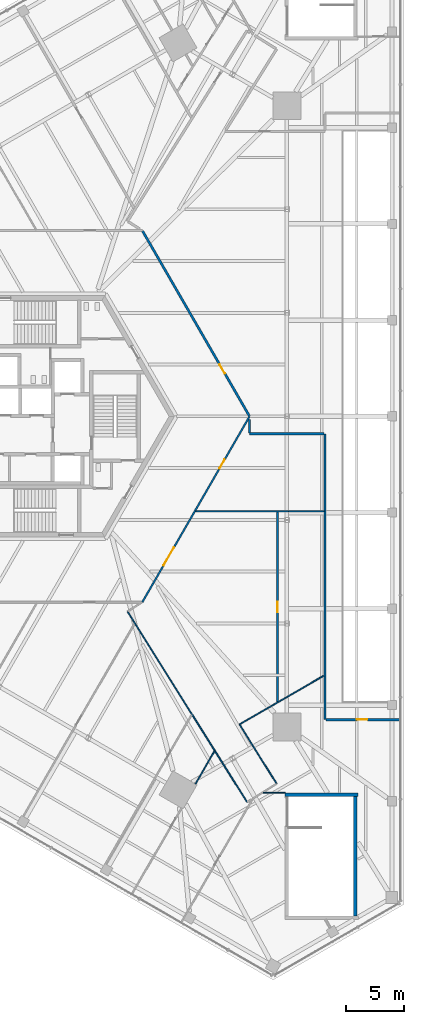
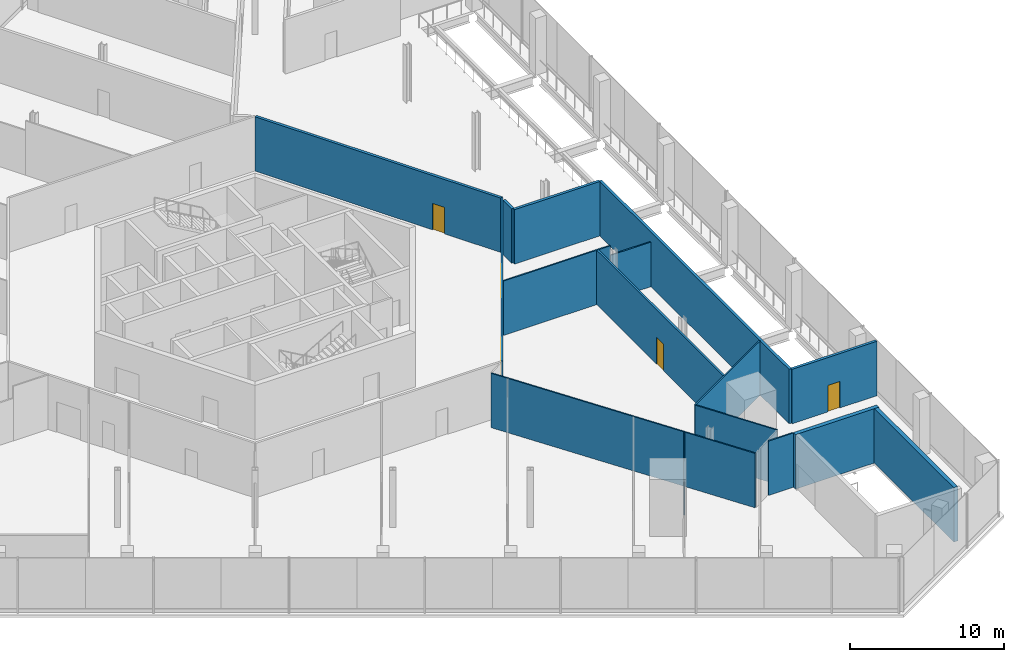
# One storey, part 21 of 25: 16 walls, 5 doors, 5 openings.
"""IFC4 building model written with IfcOpenShell, lengths in metres."""

from ifc_helpers import new_model, si_unit, direction, frame, frame_2d, origin, place, context, subcontext, project, spatial, rectangle, extrude, source, transform, mapped, material, layer, layer_set, type_object, element, fill, save


model = new_model("IFC4")

# Units and contexts
model_context = context("Model", 3, precision=1e-05, world=origin(), true_north=direction((0.0, 1.0)))
body_context = subcontext(model_context, "Body", "Model", "MODEL_VIEW")
ifc_project = project(units=[si_unit("LENGTHUNIT", "METRE"), si_unit("AREAUNIT", "SQUARE_METRE"), si_unit("VOLUMEUNIT", "CUBIC_METRE"), si_unit("PLANEANGLEUNIT", "RADIAN"), si_unit("MASSUNIT", "GRAM", prefix="KILO")], contexts=[model_context])

# Site, building, storey
site_placement = place(None, origin())
site = spatial("IfcSite", under=ifc_project, at=site_placement, CompositionType="ELEMENT")
building_placement = place(site_placement, origin())
building = spatial("IfcBuilding", under=site, at=building_placement, Name="Triune Harvest Tower", CompositionType="ELEMENT")
storey_placement = place(building_placement, frame((0.0, 0.0, 11.5)))
storey = spatial("IfcBuildingStorey", under=building, at=storey_placement, Name="L02", CompositionType="ELEMENT", Elevation=11.5)

# Wall, openings, doors
ifc_material_1 = material(Name="Gypsum board on steel studs", Category="steel")
ifc_layer_1 = layer(ifc_material_1, 0.14990234375)
ifc_layer_set_1 = layer_set([ifc_layer_1], Name="Gypsum board on steel studs")
wall_type_1 = type_object("IfcWallType", Name="Fire Partition 150 mm", PredefinedType="PARTITIONING", material=ifc_layer_set_1)
wall_1_placement = place(storey_placement, frame((9.234130859375, -15.99072265625, 0.0), z_axis=(0.0, 0.0, 1.0), x_axis=(0.499997555488, 0.866026815119, 0.0)))
wall_1 = element("IfcWall", 1, at=wall_1_placement, inside=storey, type_object=wall_type_1, Name="Partition L02 044", PredefinedType="PARTITIONING", context=body_context, shape_type="SweptSolid", body=[
    extrude(rectangle(XDim=18.46240234375, YDim=0.14990234375, at=frame_2d((9.231201171875, 0.0))), origin(), (0.0, 0.0, 1.0), 4.300048828125),
])
opening_1_placement = place(wall_1_placement, frame((3.648193359375, 0.0, 0.0)))
opening_1 = element("IfcOpeningElement", 2, at=opening_1_placement, cuts=wall_1, Name="Opening L02-001", PredefinedType="OPENING", context=body_context, shape_type="SweptSolid", body=[
    extrude(rectangle(XDim=1.800048828125, YDim=2.39990234375, at=frame_2d((0.89990234375, 1.199951171875))), frame((0.0, 0.0849609375, 0.0), z_axis=(0.0, -1.0, 0.0), x_axis=(1.0, 0.0, 0.0)), (0.0, 0.0, 1.0), 0.169921875),
])
opening_2_placement = place(wall_1_placement, frame((13.280517578125, 0.0, 0.0)))
opening_2 = element("IfcOpeningElement", 3, at=opening_2_placement, cuts=wall_1, Name="Opening L02-004", PredefinedType="OPENING", context=body_context, shape_type="SweptSolid", body=[
    extrude(rectangle(XDim=0.89990234375, YDim=2.10009765625, at=frame_2d((0.449951171875, 1.050048828125))), frame((0.0, 0.0849609375, 0.0), z_axis=(0.0, -1.0, 0.0), x_axis=(1.0, 0.0, 0.0)), (0.0, 0.0, 1.0), 0.169921875),
])
ifc_material_2 = material(Name="Timber and steel door set", Category="steel")
door_type_1 = type_object("IfcDoorType", Name="Double leaf door FD30 1800 x 2400", OperationType="DOUBLE_DOOR_SINGLE_SWING", PredefinedType="DOOR", material=ifc_material_2)
door_1_placement = place(opening_1_placement, origin())
door_1 = element("IfcDoor", 4, at=door_1_placement, inside=storey, type_object=door_type_1, Name="Door L02-001 Market Hall 02.01", OperationType="DOUBLE_DOOR_SINGLE_SWING", OverallHeight=2.39990234375, OverallWidth=1.800048828125, PredefinedType="DOOR", context=body_context, shape_type="SweptSolid", body=[
    extrude(rectangle(XDim=1.800048828125, YDim=2.39990234375, at=frame_2d((0.89990234375, 1.199951171875))), frame((0.0, 0.02490234375, 0.0), z_axis=(0.0, -1.0, 0.0), x_axis=(1.0, 0.0, 0.0)), (0.0, 0.0, 1.0), 0.050048828125),
])
fill(opening_1, door_1)
ifc_material_3 = material(Name="Timber and steel door set", Category="steel")
door_type_2 = type_object("IfcDoorType", Name="Single leaf door FD30 left hand 900 x 2100", OperationType="SINGLE_SWING_LEFT", PredefinedType="DOOR", material=ifc_material_3)
door_2_placement = place(opening_2_placement, origin())
door_2 = element("IfcDoor", 5, at=door_2_placement, inside=storey, type_object=door_type_2, Name="Door L02-004 Dry Store Room 02.04", OperationType="SINGLE_SWING_LEFT", OverallHeight=2.10009765625, OverallWidth=0.89990234375, PredefinedType="DOOR", context=body_context, shape_type="SweptSolid", body=[
    extrude(rectangle(XDim=0.89990234375, YDim=2.10009765625, at=frame_2d((0.449951171875, 1.050048828125))), frame((0.0, 0.02490234375, 0.0), z_axis=(0.0, -1.0, 0.0), x_axis=(1.0, 0.0, 0.0)), (0.0, 0.0, 1.0), 0.050048828125),
])
fill(opening_2, door_2)

# Wall, opening, door
wall_2_placement = place(storey_placement, frame((20.876220703125, -24.608154296875, 0.0), z_axis=(0.0, 0.0, 1.0), x_axis=(0.0, 1.0, 0.0)))
wall_2 = element("IfcWall", 6, at=wall_2_placement, inside=storey, type_object=wall_type_1, Name="Partition L02 057", PredefinedType="PARTITIONING", context=body_context, shape_type="SweptSolid", body=[
    extrude(rectangle(XDim=16.438232421875, YDim=0.14990234375, at=frame_2d((8.21923828125, 0.0))), origin(), (0.0, 0.0, 1.0), 4.300048828125),
])
opening_3_placement = place(wall_2_placement, frame((7.75, 0.0, 0.0)))
opening_3 = element("IfcOpeningElement", 7, at=opening_3_placement, cuts=wall_2, Name="Opening L02-002", PredefinedType="OPENING", context=body_context, shape_type="SweptSolid", body=[
    extrude(rectangle(XDim=0.89990234375, YDim=2.10009765625, at=frame_2d((0.449951171875, 1.050048828125))), frame((0.0, 0.0849609375, 0.0), z_axis=(0.0, -1.0, 0.0), x_axis=(1.0, 0.0, 0.0)), (0.0, 0.0, 1.0), 0.169921875),
])
ifc_material_4 = material(Name="Timber and steel door set", Category="steel")
door_type_3 = type_object("IfcDoorType", Name="Single leaf door FD30 right hand 900 x 2100", OperationType="SINGLE_SWING_RIGHT", PredefinedType="DOOR", material=ifc_material_4)
door_3_placement = place(opening_3_placement, origin())
door_3 = element("IfcDoor", 8, at=door_3_placement, inside=storey, type_object=door_type_3, Name="Door L02-002 Dry Store Room 02.02", OperationType="SINGLE_SWING_RIGHT", OverallHeight=2.10009765625, OverallWidth=0.89990234375, PredefinedType="DOOR", context=body_context, shape_type="SweptSolid", body=[
    extrude(rectangle(XDim=0.89990234375, YDim=2.10009765625, at=frame_2d((0.449951171875, 1.050048828125))), frame((0.0, 0.02490234375, 0.0), z_axis=(0.0, -1.0, 0.0), x_axis=(1.0, 0.0, 0.0)), (0.0, 0.0, 1.0), 0.050048828125),
])
fill(opening_3, door_3)

ifc_material_5 = material(Name="Gypsum board on steel studs", Category="steel")
ifc_layer_2 = layer(ifc_material_5, 0.199951171875)
ifc_layer_set_2 = layer_set([ifc_layer_2], Name="Gypsum board on steel studs")
wall_type_2 = type_object("IfcWallType", Name="Fire Wall 200 mm", PredefinedType="PARTITIONING", material=ifc_layer_set_2)
wall_3_placement = place(storey_placement, frame((9.254150390625, 15.9560546875, 0.0), z_axis=(0.0, 0.0, 1.0), x_axis=(0.499997220877, -0.866027008306, 0.0)))
wall_3 = element("IfcWall", 9, at=wall_3_placement, inside=storey, type_object=wall_type_2, Name="Partition L02 006", PredefinedType="PARTITIONING", context=body_context, shape_type="SweptSolid", body=[
    extrude(rectangle(XDim=18.38232421875, YDim=0.199951171875, at=frame_2d((9.191162109375, 0.0))), origin(), (0.0, 0.0, 1.0), 4.300048828125),
])
opening_4_placement = place(wall_3_placement, frame((13.2744140625, 0.0, 0.0)))
opening_4 = element("IfcOpeningElement", 10, at=opening_4_placement, cuts=wall_3, Name="Opening L02-005", PredefinedType="OPENING", context=body_context, shape_type="SweptSolid", body=[
    extrude(rectangle(XDim=0.89990234375, YDim=2.10009765625, at=frame_2d((0.449951171875, 1.050048828125))), frame((0.0, 0.10986328125, 0.0), z_axis=(0.0, -1.0, 0.0), x_axis=(1.0, 0.0, 0.0)), (0.0, 0.0, 1.0), 0.219970703125),
])
ifc_material_6 = material(Name="Timber and steel door set", Category="steel")
door_type_4 = type_object("IfcDoorType", Name="Single leaf door FD60 right hand 900 x 2100", OperationType="SINGLE_SWING_RIGHT", PredefinedType="DOOR", material=ifc_material_6)
door_4_placement = place(opening_4_placement, origin())
door_4 = element("IfcDoor", 11, at=door_4_placement, inside=storey, type_object=door_type_4, Name="Door L02-005 Culinary School Kitchen 02.05", OperationType="SINGLE_SWING_RIGHT", OverallHeight=2.10009765625, OverallWidth=0.89990234375, PredefinedType="DOOR", context=body_context, shape_type="SweptSolid", body=[
    extrude(rectangle(XDim=0.89990234375, YDim=2.10009765625, at=frame_2d((0.449951171875, 1.050048828125))), frame((0.0, 0.02490234375, 0.0), z_axis=(0.0, -1.0, 0.0), x_axis=(1.0, 0.0, 0.0)), (0.0, 0.0, 1.0), 0.050048828125),
])
fill(opening_4, door_4)

wall_4_placement = place(storey_placement, frame((25.0341796875, -26.10009765625, 0.0), z_axis=(0.0, 0.0, 1.0), x_axis=(1.0, 0.0, 0.0)))
wall_4 = element("IfcWall", 12, at=wall_4_placement, inside=storey, type_object=wall_type_2, Name="Partition L02 020", PredefinedType="PARTITIONING", context=body_context, shape_type="SweptSolid", body=[
    extrude(rectangle(XDim=6.34521484375, YDim=0.199951171875, at=frame_2d((3.172607421875, 0.0))), origin(), (0.0, 0.0, 1.0), 4.300048828125),
])
opening_5_placement = place(wall_4_placement, frame((2.669921875, 0.0, 0.0)))
opening_5 = element("IfcOpeningElement", 13, at=opening_5_placement, cuts=wall_4, Name="Opening L02-003", PredefinedType="OPENING", context=body_context, shape_type="SweptSolid", body=[
    extrude(rectangle(XDim=0.89990234375, YDim=2.10009765625, at=frame_2d((0.449951171875, 1.050048828125))), frame((0.0, 0.10986328125, 0.0), z_axis=(0.0, -1.0, 0.0), x_axis=(1.0, 0.0, 0.0)), (0.0, 0.0, 1.0), 0.219970703125),
])
door_5_placement = place(opening_5_placement, origin())
door_5 = element("IfcDoor", 14, at=door_5_placement, inside=storey, type_object=door_type_4, Name="Door L02-003 Dry Store Room 02.03", OperationType="SINGLE_SWING_RIGHT", OverallHeight=2.10009765625, OverallWidth=0.89990234375, PredefinedType="DOOR", context=body_context, shape_type="SweptSolid", body=[
    extrude(rectangle(XDim=0.89990234375, YDim=2.10009765625, at=frame_2d((0.449951171875, 1.050048828125))), frame((0.0, 0.02490234375, 0.0), z_axis=(0.0, -1.0, 0.0), x_axis=(1.0, 0.0, 0.0)), (0.0, 0.0, 1.0), 0.050048828125),
])
fill(opening_5, door_5)

# Walls
wall_5_placement = place(storey_placement, frame((18.46630859375, -1.5, 0.0), z_axis=(0.0, 0.0, 1.0), x_axis=(1.0, 0.0, 0.0)))
element("IfcWall", 15, at=wall_5_placement, inside=storey, type_object=wall_type_2, Name="Partition L02 024", PredefinedType="PARTITIONING", context=body_context, shape_type="SweptSolid", body=[
    extrude(rectangle(XDim=6.407958984375, YDim=0.199951171875, at=frame_2d((3.2041015625, 0.0))), origin(), (0.0, 0.0, 1.0), 4.300048828125),
])
wall_6_placement = place(storey_placement, frame((24.954345703125, -26.10009765625, 0.0), z_axis=(0.0, 0.0, 1.0), x_axis=(0.0, 1.0, 0.0)))
element("IfcWall", 16, at=wall_6_placement, inside=storey, type_object=wall_type_2, Name="Partition L02 055", PredefinedType="PARTITIONING", context=body_context, shape_type="SweptSolid", body=[
    extrude(rectangle(XDim=24.60009765625, YDim=0.199951171875, at=frame_2d((12.300048828125, 0.0))), origin(), (0.0, 0.0, 1.0), 4.300048828125),
])
wall_7_placement = place(storey_placement, frame((18.46630859375, -1.419921875, 0.0), z_axis=(0.0, 0.0, 1.0), x_axis=(0.0, 1.0, 0.0)))
element("IfcWall", 17, at=wall_7_placement, inside=storey, type_object=wall_type_2, Name="Partition L02 058", PredefinedType="PARTITIONING", context=body_context, shape_type="SweptSolid", body=[
    extrude(rectangle(XDim=1.139892578125, YDim=0.199951171875, at=frame_2d((0.56982421875, 0.0))), origin(), (0.0, 0.0, 1.0), 4.300048828125),
])
ifc_material_7 = material(Name="Gypsum board on steel studs", Category="steel")
ifc_layer_3 = layer(ifc_material_7, 0.10009765625)
ifc_layer_set_3 = layer_set([ifc_layer_3], Name="Gypsum board on steel studs")
wall_type_3 = type_object("IfcWallType", Name="Partition 100 mm", PredefinedType="PARTITIONING", material=ifc_layer_set_3)
wall_8_placement = place(storey_placement, frame((7.96240234375, -16.7890625, 0.0), z_axis=(0.0, 0.0, 1.0), x_axis=(0.531179225495, -0.847259482333, 0.0)))
element("IfcWall", 18, at=wall_8_placement, inside=storey, type_object=wall_type_3, Name="Partition L02 013", PredefinedType="PARTITIONING", context=body_context, shape_type="SweptSolid", body=[
    extrude(rectangle(XDim=19.36572265625, YDim=0.10009765625, at=frame_2d((9.682861328125, 0.0))), origin(), (0.0, 0.0, 1.0), 4.300048828125),
])
wall_9_placement = place(storey_placement, frame((17.609619140625, -26.52880859375, 0.0), z_axis=(0.0, 0.0, 1.0), x_axis=(0.531181923243, -0.847257791006, 0.0)))
element("IfcWall", 19, at=wall_9_placement, inside=storey, type_object=wall_type_3, Name="Partition L02 014", PredefinedType="PARTITIONING", context=body_context, shape_type="SweptSolid", body=[
    extrude(rectangle(XDim=5.9892578125, YDim=0.10009765625, at=frame_2d((2.99462890625, 0.0))), origin(), (0.0, 0.0, 1.0), 4.300048828125),
])
wall_10_placement = place(storey_placement, frame((19.659912109375, -32.39990234375, 0.0), z_axis=(0.0, 0.0, 1.0), x_axis=(1.0, 0.0, 0.0)))
element("IfcWall", 20, at=wall_10_placement, inside=storey, type_object=wall_type_3, Name="Partition L02 019", PredefinedType="PARTITIONING", context=body_context, shape_type="SweptSolid", body=[
    extrude(rectangle(XDim=1.860107421875, YDim=0.10009765625, at=frame_2d((0.93017578125, 0.0))), origin(), (0.0, 0.0, 1.0), 4.300048828125),
])
wall_11_placement = place(storey_placement, frame((21.831787109375, -8.169921875, 0.0), z_axis=(0.0, 0.0, 1.0), x_axis=(1.0, 0.0, 0.0)))
element("IfcWall", 21, at=wall_11_placement, inside=storey, type_object=wall_type_3, Name="Partition L02 022a", PredefinedType="PARTITIONING", context=body_context, shape_type="SweptSolid", body=[
    extrude(rectangle(XDim=3.04248046875, YDim=0.10009765625, at=frame_2d((1.521240234375, 0.0))), origin(), (0.0, 0.0, 1.0), 3.52783203125),
])
wall_12_placement = place(storey_placement, frame((17.59375, -26.50341796875, 0.0), z_axis=(0.0, 0.0, 1.0), x_axis=(0.86602013072, 0.500009133105, 0.0)))
element("IfcWall", 22, at=wall_12_placement, inside=storey, type_object=wall_type_3, Name="Partition L02 031", PredefinedType="PARTITIONING", context=body_context, shape_type="SweptSolid", body=[
    extrude(rectangle(XDim=8.379150390625, YDim=0.10009765625, at=frame_2d((4.189453125, 0.0))), origin(), (0.0, 0.0, 1.0), 4.300048828125),
])
wall_13_placement = place(storey_placement, frame((13.811767578125, -31.63330078125, 0.0), z_axis=(0.0, 0.0, 1.0), x_axis=(0.500027630784, 0.866009450556, 0.0)))
element("IfcWall", 23, at=wall_13_placement, inside=storey, type_object=wall_type_3, Name="Partition L02 041", PredefinedType="PARTITIONING", context=body_context, shape_type="SweptSolid", body=[
    extrude(rectangle(XDim=3.254638671875, YDim=0.10009765625, at=frame_2d((1.62744140625, 0.0))), origin(), (0.0, 0.0, 1.0), 4.300048828125),
])
ifc_material_8 = material(Name="Concrete 70 MPa", Category="concrete")
ifc_layer_4 = layer(ifc_material_8, 0.300048828125)
ifc_layer_set_4 = layer_set([ifc_layer_4], Name="Concrete 70 MPa")
wall_type_4 = type_object("IfcWallType", Name="Core wall 300", PredefinedType="SHEAR", material=ifc_layer_set_4)
shared_shape_1 = source(origin(), body_context, "Body", "SweptSolid", [
    extrude(rectangle(XDim=10.300048828125, YDim=0.300048828125, at=frame_2d((5.14990234375, 0.0))), origin(), (0.0, 0.0, 1.0), 4.300048828125),
])
wall_14_placement = place(storey_placement, frame((27.570068359375, -43.0, 0.0), z_axis=(0.0, 0.0, 1.0), x_axis=(0.0, 1.0, 0.0)))
element("IfcWall", 24, at=wall_14_placement, inside=storey, type_object=wall_type_4, Name="Podium stair ps 2 east wall", PredefinedType="SHEAR", context=body_context, shape_type="MappedRepresentation", body=[
    mapped(shared_shape_1, transform((0.0, 0.0, 0.0), scale=1.0)),
])
shared_shape_2 = source(origin(), body_context, "Body", "SweptSolid", [
    extrude(rectangle(XDim=6.260009765625, YDim=0.300048828125, at=frame_2d((3.1298828125, 0.0))), origin(), (0.0, 0.0, 1.0), 4.300048828125),
])
wall_15_placement = place(storey_placement, frame((21.52001953125, -32.550048828125, 0.0), z_axis=(0.0, 0.0, 1.0), x_axis=(1.0, 0.0, 0.0)))
element("IfcWall", 25, at=wall_15_placement, inside=storey, type_object=wall_type_4, Name="Podium stair ps 2 north wall", PredefinedType="SHEAR", context=body_context, shape_type="MappedRepresentation", body=[
    mapped(shared_shape_2, transform((0.0, 0.0, 0.0), scale=1.0)),
])
shared_shape_3 = source(origin(), body_context, "Body", "SweptSolid", [
    extrude(rectangle(XDim=7.992431640625, YDim=0.10009765625, at=frame_2d((3.99609375, 0.0))), origin(), (0.0, 0.0, 1.0), 4.300048828125),
])
wall_16_placement = place(storey_placement, frame((13.83935546875, -8.169921875, 0.0), z_axis=(0.0, 0.0, 1.0), x_axis=(1.0, 0.0, 0.0)))
element("IfcWall", 26, at=wall_16_placement, inside=storey, type_object=wall_type_3, Name="Partition L02 022", PredefinedType="PARTITIONING", context=body_context, shape_type="MappedRepresentation", body=[
    mapped(shared_shape_3, transform((0.0, 0.0, 0.0), scale=1.0)),
])

save(model, "model.ifc")
